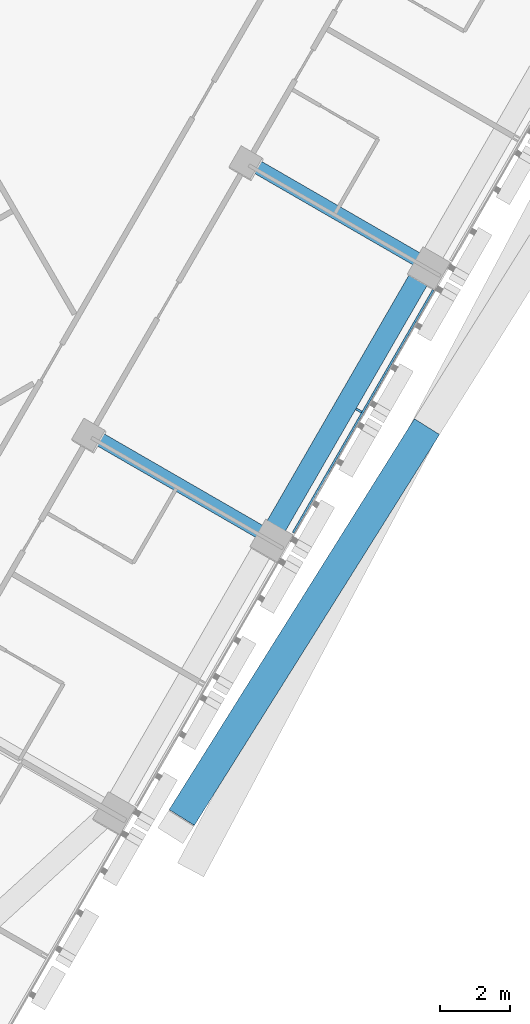
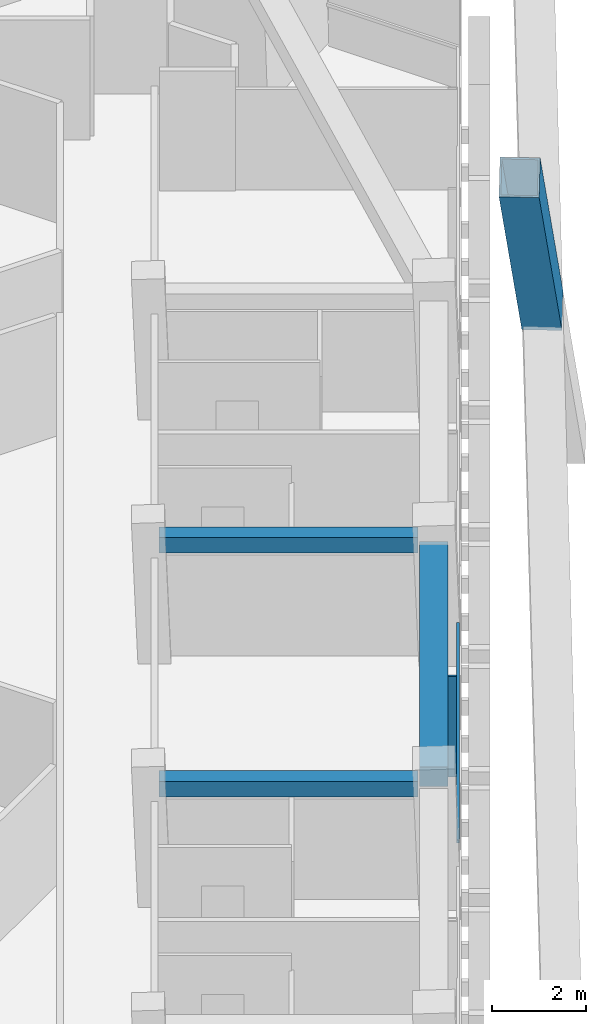
# One storey, part 6 of 19: 3 beams, 3 members, 1 element without a shape of its own.
"""IFC4 building model written with IfcOpenShell, lengths in metres."""

from ifc_helpers import new_model, si_unit, direction, frame, origin, origin_2d, place, context, subcontext, project, spatial, rectangle, hollow_rectangle, extrude, material, layer, layer_set, material_profile, profile_set, type_object, element, aggregate, save


model = new_model("IFC4")

# Units and contexts
model_context = context("Model", 3, precision=1e-05, world=origin(), true_north=direction((0.0, 1.0)))
body_context = subcontext(model_context, "Body", "Model", "MODEL_VIEW")
ifc_project = project(units=[si_unit("LENGTHUNIT", "METRE"), si_unit("AREAUNIT", "SQUARE_METRE"), si_unit("VOLUMEUNIT", "CUBIC_METRE"), si_unit("PLANEANGLEUNIT", "RADIAN"), si_unit("MASSUNIT", "GRAM", prefix="KILO")], contexts=[model_context])

# Site, building, storey
site_placement = place(None, origin())
site = spatial("IfcSite", under=ifc_project, at=site_placement, CompositionType="ELEMENT")
building_placement = place(site_placement, origin())
building = spatial("IfcBuilding", under=site, at=building_placement, Name="Altiplano Prism Tower", CompositionType="ELEMENT")
storey_placement = place(building_placement, frame((0.0, 0.0, 70.199951171875)))
storey = spatial("IfcBuildingStorey", under=building, at=storey_placement, Name="L17", CompositionType="ELEMENT", Elevation=70.199951171875)

# Curtain wall, members
ifc_material_1 = material(Name="Aluminium and glass", Category="aluminium")
ifc_layer = layer(ifc_material_1, 0.280029296875)
ifc_layer_set = layer_set([ifc_layer], Name="Aluminium and glass")
curtain_wall_type = type_object("IfcCurtainWallType", Name="CW1 typical co-living unitised curtain wall", PredefinedType="NOTDEFINED", material=ifc_layer_set)
curtain_wall_placement = place(storey_placement, origin())
curtain_wall = element("IfcCurtainWall", 1, at=curtain_wall_placement, inside=storey, type_object=curtain_wall_type, Name="CW1 curtain wall south-east face L17", PredefinedType="NOTDEFINED")
ifc_material_2 = material(Name="Aluminium", Category="aluminium")
ifc_material_profile_1 = material_profile(ifc_material_2, rectangle(XDim=0.179931640625, YDim=0.06494140625, at=origin_2d()), Name="CW1 mullion 65 x 180")
ifc_profile_set_1 = profile_set([ifc_material_profile_1], Name="Aluminium")
member_type_1 = type_object("IfcMemberType", Name="CW1 mullion 65 x 180", PredefinedType="MULLION", material=ifc_profile_set_1)
member_1_placement = place(storey_placement, frame((102.06201171875, 75.257568359375, 0.0), z_axis=(0.0, 0.0, 1.0), x_axis=(-0.86602540313, 0.500000001134, 0.0)))
member_1 = element("IfcMember", 2, at=member_1_placement, type_object=member_type_1, Name="CW1 mullion", PredefinedType="MULLION", context=body_context, shape_type="SweptSolid", body=[
    extrude(rectangle(XDim=0.179931640625, YDim=0.06494140625, at=origin_2d()), origin(), (0.0, 0.0, 1.0), 2.60009765625),
])
ifc_material_profile_2 = material_profile(ifc_material_2, rectangle(XDim=0.06005859375, YDim=0.080078125, at=origin_2d()), Name="CW1 transom 80 x 60")
ifc_profile_set_2 = profile_set([ifc_material_profile_2], Name="Aluminium")
member_type_2 = type_object("IfcMemberType", Name="CW1 transom 80 x 60", PredefinedType="USERDEFINED", material=ifc_profile_set_2)
member_2_placement = place(storey_placement, frame((100.1806640625, 71.759033203125, 1.10009765625), z_axis=(0.500012318566, 0.86601829154, 0.0), x_axis=(-0.86601829154, 0.500012318566, 0.0)))
member_2 = element("IfcMember", 3, at=member_2_placement, type_object=member_type_2, Name="CW1 transom", ObjectType="TRANSOM", PredefinedType="USERDEFINED", context=body_context, shape_type="SweptSolid", body=[
    extrude(rectangle(XDim=0.06005859375, YDim=0.080078125, at=origin_2d()), origin(), (0.0, 0.0, 1.0), 8.019775390625),
])
aggregate(curtain_wall, [member_1, member_2])

# Beam
ifc_material_3 = material(Name="Concrete C60/75", Category="concrete")
ifc_material_profile_3 = material_profile(ifc_material_3, rectangle(XDim=0.60009765625, YDim=0.5, at=origin_2d()), Name="Edge beam 600x500")
ifc_profile_set_3 = profile_set([ifc_material_profile_3], Name="Concrete C60/75")
beam_type_1 = type_object("IfcBeamType", Name="Edge beam 600x500", PredefinedType="SPANDREL", material=ifc_profile_set_3)
beam_placement = place(storey_placement, frame((99.671875, 71.914794921875, 2.85009765625), z_axis=(0.500014701701, 0.866016915587, 0.0), x_axis=(-0.866016915587, 0.500014701701, 0.0)))
element("IfcBeam", 4, at=beam_placement, inside=storey, type_object=beam_type_1, Name="Edge beam P22-P23 L18", PredefinedType="SPANDREL", context=body_context, shape_type="SweptSolid", body=[
    extrude(rectangle(XDim=0.60009765625, YDim=0.5, at=origin_2d()), origin(), (0.0, 0.0, 1.0), 8.340087890625),
])

# Member
ifc_material_4 = material(Name="Steel S355", Category="steel")
ifc_material_profile_4 = material_profile(ifc_material_4, hollow_rectangle(XDim=0.85009765625, YDim=0.85009765625, WallThickness=0.0400390625, at=origin_2d()), Name="Mega brace Box 850x850x40")
ifc_profile_set_4 = profile_set([ifc_material_profile_4], Name="Steel S355")
member_type_3 = type_object("IfcMemberType", Name="Mega brace Box 850x850x40", PredefinedType="BRACE", material=ifc_profile_set_4)
member_3_placement = place(storey_placement, frame((103.85205078125, 74.54736328125, 11.85009765625), z_axis=(-0.383349248631, -0.611087948508, 0.69254232561), x_axis=(0.847112872125, -0.531413004997, 0.0)))
element("IfcMember", 5, at=member_3_placement, inside=storey, type_object=member_type_3, Name="Mega brace 2.2.4", PredefinedType="BRACE", context=body_context, shape_type="SweptSolid", body=[
    extrude(hollow_rectangle(XDim=0.85009765625, YDim=0.85009765625, WallThickness=0.0400390625, at=origin_2d()), origin(), (0.0, 0.0, 1.0), 18.29833984375),
])

# Beams
ifc_material_profile_5 = material_profile(ifc_material_3, rectangle(XDim=0.39990234375, YDim=0.39990234375, at=origin_2d()), Name="Tie beam 400x400")
ifc_profile_set_5 = profile_set([ifc_material_profile_5], Name="Concrete C60/75")
beam_type_2 = type_object("IfcBeamType", Name="Tie beam 400x400", PredefinedType="BEAM", material=ifc_profile_set_5)
for number, where, z_axis, x_axis, name in (
    (6, (94.466796875, 74.5390625, 2.900146484375), (0.866012292785, -0.50002270823, 0.0), (0.50002270823, 0.866012292785, 0.0), "Tie beam I22 L18"),
    (7, (98.966796875, 82.333251953125, 2.900146484375), (0.866012292785, -0.50002270823, 0.0), (0.50002270823, 0.866012292785, 0.0), "Tie beam I23 L18"),
):
    element("IfcBeam", number, at=place(storey_placement, frame(where, z_axis=z_axis, x_axis=x_axis)), inside=storey, type_object=beam_type_2, Name=name, PredefinedType="BEAM", context=body_context, shape_type="SweptSolid", body=[
        extrude(rectangle(XDim=0.39990234375, YDim=0.39990234375, at=origin_2d()), origin(), (0.0, 0.0, 1.0), 5.489990234375),
    ])

save(model, "model.ifc")
